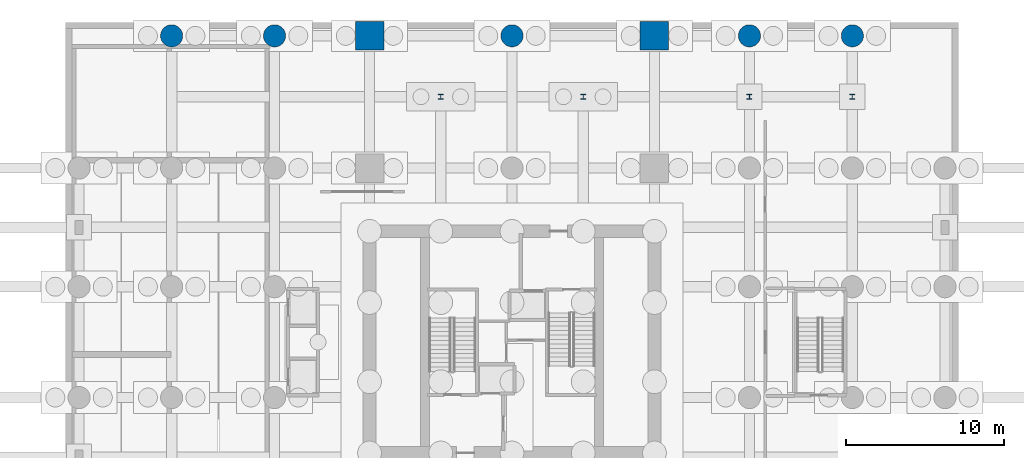
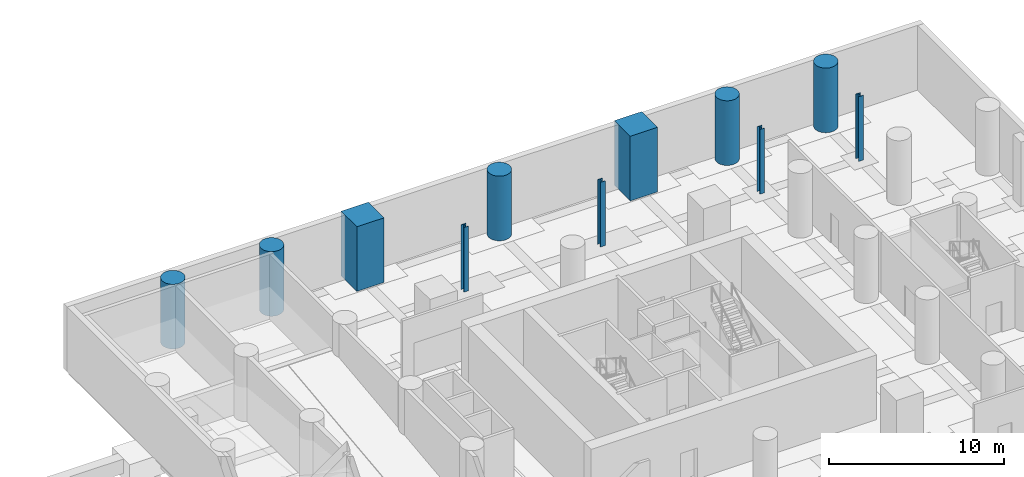
# One storey, part 7 of 12: 11 columns.
"""IFC4 building model written with IfcOpenShell, lengths in metres."""

from ifc_helpers import new_model, si_unit, direction, frame, origin, origin_2d, place, context, subcontext, project, spatial, rectangle, circle, i_section, extrude, material, material_profile, profile_set, type_object, element, save


model = new_model("IFC4")

# Units and contexts
model_context = context("Model", 3, precision=1e-05, world=origin(), true_north=direction((0.0, 1.0)))
body_context = subcontext(model_context, "Body", "Model", "MODEL_VIEW")
ifc_project = project(units=[si_unit("LENGTHUNIT", "METRE"), si_unit("AREAUNIT", "SQUARE_METRE"), si_unit("VOLUMEUNIT", "CUBIC_METRE"), si_unit("PLANEANGLEUNIT", "RADIAN"), si_unit("MASSUNIT", "GRAM", prefix="KILO")], contexts=[model_context])

# Site, building, storey
site_placement = place(None, origin())
site = spatial("IfcSite", under=ifc_project, at=site_placement, CompositionType="ELEMENT")
building_placement = place(site_placement, origin())
building = spatial("IfcBuilding", under=site, at=building_placement, Name="Veldorim Arch Residences", CompositionType="ELEMENT")
storey_placement = place(building_placement, frame((0.0, 0.0, -9.0)))
storey = spatial("IfcBuildingStorey", under=building, at=storey_placement, Name="B2", CompositionType="ELEMENT", Elevation=-9.0)

# Columns
ifc_material_1 = material(Name="Concrete C60/75", Category="concrete")
ifc_material_profile_1 = material_profile(ifc_material_1, circle(Radius=0.699951171875, at=origin_2d()), Name="RC_CIRC_1400")
ifc_profile_set_1 = profile_set([ifc_material_profile_1], Name="Concrete C60/75")
column_type_1 = type_object("IfcColumnType", Name="Structural Column RC_CIRC_1400", PredefinedType="COLUMN", material=ifc_profile_set_1)
for number, where, z_axis, x_axis, name in (
    (1, (10.5, 43.35009765625, 0.0), (0.0, 0.0, 1.0), (1.0, 0.0, 0.0), "B2 podium column (10.50, 43.35)"),
    (2, (17.0, 43.35009765625, 0.0), (0.0, 0.0, 1.0), (1.0, 0.0, 0.0), "B2 podium column (17.00, 43.35)"),
    (3, (47.0, 43.35009765625, 0.0), (0.0, 0.0, 1.0), (1.0, 0.0, 0.0), "B2 podium column (47.00, 43.35)"),
    (4, (53.5, 43.35009765625, 0.0), (0.0, 0.0, 1.0), (1.0, 0.0, 0.0), "B2 podium column (53.50, 43.35)"),
    (5, (32.0, 43.35009765625, 0.0), (0.0, 0.0, 1.0), (1.0, 0.0, 0.0), "B2 arch mega-pier (32.00, 43.35)"),
):
    element("IfcColumn", number, at=place(storey_placement, frame(where, z_axis=z_axis, x_axis=x_axis)), inside=storey, type_object=column_type_1, Name=name, PredefinedType="COLUMN", context=body_context, shape_type="SweptSolid", body=[
        extrude(circle(Radius=0.699951171875, at=origin_2d()), origin(), (0.0, 0.0, 1.0), 4.5),
    ])
ifc_material_2 = material(Name="Concrete C60/75", Category="concrete")
ifc_material_profile_2 = material_profile(ifc_material_2, rectangle(XDim=1.800048828125, YDim=1.800048828125, at=origin_2d()), Name="RC_RECT_1800x1800")
ifc_profile_set_2 = profile_set([ifc_material_profile_2], Name="Concrete C60/75")
column_type_2 = type_object("IfcColumnType", Name="Structural Column RC_RECT_1800x1800", PredefinedType="COLUMN", material=ifc_profile_set_2)
for number, where, z_axis, x_axis, name in (
    (6, (23.0, 43.35009765625, 0.0), (0.0, 0.0, 1.0), (1.0, 0.0, 0.0), "B2 arch mega-pier (23.00, 43.35)"),
    (7, (41.0, 43.35009765625, 0.0), (0.0, 0.0, 1.0), (1.0, 0.0, 0.0), "B2 arch mega-pier (41.00, 43.35)"),
):
    element("IfcColumn", number, at=place(storey_placement, frame(where, z_axis=z_axis, x_axis=x_axis)), inside=storey, type_object=column_type_2, Name=name, PredefinedType="COLUMN", context=body_context, shape_type="SweptSolid", body=[
        extrude(rectangle(XDim=1.800048828125, YDim=1.800048828125, at=origin_2d()), origin(), (0.0, 0.0, 1.0), 4.5),
    ])
ifc_material_3 = material(Name="Steel S355", Category="steel")
ifc_material_profile_3 = material_profile(ifc_material_3, i_section(OverallWidth=0.314453125, OverallDepth=0.33984375, WebThickness=0.01904296875, FlangeThickness=0.031494140625, at=origin_2d()), Name="UC305x305x198")
ifc_profile_set_3 = profile_set([ifc_material_profile_3], Name="Steel S355")
column_type_3 = type_object("IfcColumnType", Name="Structural Column UC305x305x198", PredefinedType="COLUMN", material=ifc_profile_set_3)
for number, where, z_axis, x_axis, name in (
    (8, (27.5, 39.5, 0.0), (0.0, 0.0, 1.0), (1.0, 0.0, 0.0), "B2 basement secondary column 03"),
    (9, (36.5, 39.5, 0.0), (0.0, 0.0, 1.0), (1.0, 0.0, 0.0), "B2 basement secondary column 04"),
    (10, (47.0, 39.5, 0.0), (0.0, 0.0, 1.0), (1.0, 0.0, 0.0), "B2 basement secondary column 09"),
    (11, (53.5, 39.5, 0.0), (0.0, 0.0, 1.0), (1.0, 0.0, 0.0), "B2 basement secondary column 10"),
):
    element("IfcColumn", number, at=place(storey_placement, frame(where, z_axis=z_axis, x_axis=x_axis)), inside=storey, type_object=column_type_3, Name=name, PredefinedType="COLUMN", context=body_context, shape_type="SweptSolid", body=[
        extrude(i_section(OverallWidth=0.314453125, OverallDepth=0.33984375, WebThickness=0.01904296875, FlangeThickness=0.031494140625, at=origin_2d()), origin(), (0.0, 0.0, 1.0), 4.5),
    ])

save(model, "model.ifc")
